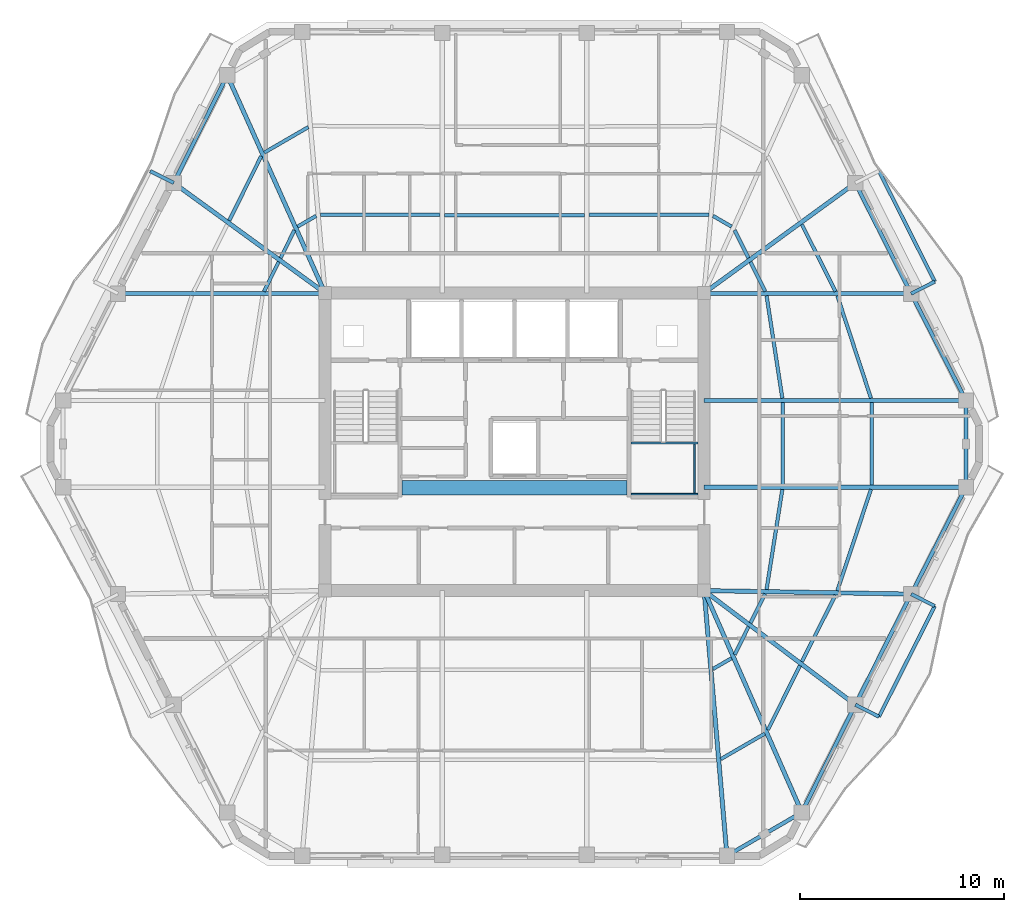
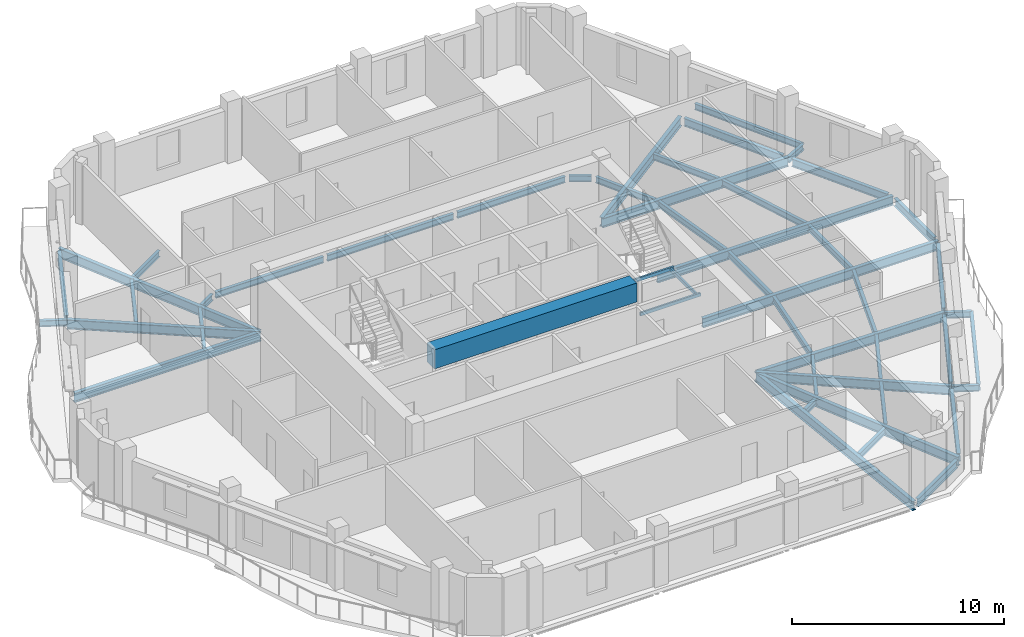
# One storey, part 2 of 12: 53 beams.
"""IFC4 building model written with IfcOpenShell, lengths in metres."""

from ifc_helpers import new_model, si_unit, direction, frame, origin, origin_2d, place, context, subcontext, project, spatial, rectangle, hollow_rectangle, i_section, extrude, material, material_profile, profile_set, type_object, element, save


model = new_model("IFC4")

# Units and contexts
model_context = context("Model", 3, precision=1e-05, world=origin(), true_north=direction((0.0, 1.0)))
body_context = subcontext(model_context, "Body", "Model", "MODEL_VIEW")
ifc_project = project(units=[si_unit("LENGTHUNIT", "METRE"), si_unit("AREAUNIT", "SQUARE_METRE"), si_unit("VOLUMEUNIT", "CUBIC_METRE"), si_unit("PLANEANGLEUNIT", "RADIAN"), si_unit("MASSUNIT", "GRAM", prefix="KILO")], contexts=[model_context])

# Site, building, storey
site_placement = place(None, origin())
site = spatial("IfcSite", under=ifc_project, at=site_placement, CompositionType="ELEMENT")
building_placement = place(site_placement, origin())
building = spatial("IfcBuilding", under=site, at=building_placement, Name="Cinnabar Lancet Tower", CompositionType="ELEMENT")
storey_placement = place(building_placement, frame((0.0, 0.0, 210.949951171875)))
storey = spatial("IfcBuildingStorey", under=building, at=storey_placement, Name="L56", CompositionType="ELEMENT", Elevation=210.949951171875)

# Beams
ifc_material_1 = material(Name="Concrete C70/85", Category="concrete")
ifc_material_profile_1 = material_profile(ifc_material_1, rectangle(XDim=0.699951171875, YDim=1.10009765625, at=origin_2d()), Name="RC-CB 700x1100")
ifc_profile_set_1 = profile_set([ifc_material_profile_1], Name="Concrete C70/85")
beam_type_1 = type_object("IfcBeamType", Name="STR-BM-CB-1100", PredefinedType="BEAM", material=ifc_profile_set_1)
beam_1_placement = place(storey_placement, frame((26.8798828125, 23.64990234375, 2.800048828125), z_axis=(1.0, 0.0, 0.0), x_axis=(0.0, 1.0, 0.0)))
element("IfcBeam", 1, at=beam_1_placement, inside=storey, type_object=beam_type_1, Name="L56 Core Coupling Beam", PredefinedType="BEAM", context=body_context, shape_type="SweptSolid", body=[
    extrude(rectangle(XDim=0.699951171875, YDim=1.10009765625, at=origin_2d()), origin(), (0.0, 0.0, 1.0), 11.0400390625),
])
ifc_material_2 = material(Name="Structural steel S355", Category="steel")
ifc_material_profile_2 = material_profile(ifc_material_2, i_section(OverallWidth=0.17138671875, OverallDepth=0.35498046875, WebThickness=0.00732421875, FlangeThickness=0.011474609375, FilletRadius=0.01025390625, at=origin_2d()), Name="UKB 356x171x51")
ifc_profile_set_2 = profile_set([ifc_material_profile_2], Name="Structural steel S355")
beam_type_2 = type_object("IfcBeamType", Name="STR-BM-JST-356", PredefinedType="JOIST", material=ifc_profile_set_2)
beam_2_placement = place(storey_placement, frame((42.51708984375, 10.3310546875, -0.3779296875), z_axis=(0.865267839663, 0.501309849937, 0.0), x_axis=(-0.501309849937, 0.865267839663, 0.0)))
element("IfcBeam", 2, at=beam_2_placement, inside=storey, type_object=beam_type_2, Name="L56 Secondary Floor Joist 15", PredefinedType="JOIST", context=body_context, shape_type="SweptSolid", body=[
    extrude(i_section(OverallWidth=0.17138671875, OverallDepth=0.35498046875, WebThickness=0.00732421875, FlangeThickness=0.011474609375, FilletRadius=0.01025390625, at=origin_2d()), origin(), (0.0, 0.0, 1.0), 2.497314453125),
])
beam_3_placement = place(storey_placement, frame((42.135986328125, 14.7548828125, -0.3779296875), z_axis=(0.8651881055, 0.501447446998, 0.0), x_axis=(-0.501447446998, 0.8651881055, 0.0)))
element("IfcBeam", 3, at=beam_3_placement, inside=storey, type_object=beam_type_2, Name="L56 Secondary Floor Joist 16", PredefinedType="JOIST", context=body_context, shape_type="SweptSolid", body=[
    extrude(i_section(OverallWidth=0.17138671875, OverallDepth=0.35498046875, WebThickness=0.00732421875, FlangeThickness=0.011474609375, FilletRadius=0.01025390625, at=origin_2d()), origin(), (0.0, 0.0, 1.0), 1.05322265625),
])
beam_4_placement = place(storey_placement, frame((44.8291015625, 11.758056640625, -0.3779296875), z_axis=(0.445027906173, 0.895516701534, 0.0), x_axis=(-0.895516701534, 0.445027906173, 0.0)))
element("IfcBeam", 4, at=beam_4_placement, inside=storey, type_object=beam_type_2, Name="L56 Secondary Floor Joist 17", PredefinedType="JOIST", context=body_context, shape_type="SweptSolid", body=[
    extrude(i_section(OverallWidth=0.17138671875, OverallDepth=0.35498046875, WebThickness=0.00732421875, FlangeThickness=0.011474609375, FilletRadius=0.01025390625, at=origin_2d()), origin(), (0.0, 0.0, 1.0), 3.531982421875),
])
beam_5_placement = place(storey_placement, frame((43.198974609375, 15.45703125, -0.3779296875), z_axis=(0.444589856968, 0.895734256954, 0.0), x_axis=(-0.895734256954, 0.444589856968, 0.0)))
element("IfcBeam", 5, at=beam_5_placement, inside=storey, type_object=beam_type_2, Name="L56 Secondary Floor Joist 18", PredefinedType="JOIST", context=body_context, shape_type="SweptSolid", body=[
    extrude(i_section(OverallWidth=0.17138671875, OverallDepth=0.35498046875, WebThickness=0.00732421875, FlangeThickness=0.011474609375, FilletRadius=0.01025390625, at=origin_2d()), origin(), (0.0, 0.0, 1.0), 1.527099609375),
])
beam_6_placement = place(storey_placement, frame((46.49609375, 15.112060546875, -0.3779296875), z_axis=(0.450564728728, 0.892743762357, 0.0), x_axis=(-0.892743762357, 0.450564728728, 0.0)))
element("IfcBeam", 6, at=beam_6_placement, inside=storey, type_object=beam_type_2, Name="L56 Secondary Floor Joist 19", PredefinedType="JOIST", context=body_context, shape_type="SweptSolid", body=[
    extrude(i_section(OverallWidth=0.17138671875, OverallDepth=0.35498046875, WebThickness=0.00732421875, FlangeThickness=0.011474609375, FilletRadius=0.01025390625, at=origin_2d()), origin(), (0.0, 0.0, 1.0), 3.66845703125),
])
beam_7_placement = place(storey_placement, frame((43.97412109375, 17.014892578125, -0.3779296875), z_axis=(0.450137936259, 0.892959035085, 0.0), x_axis=(-0.892959035085, 0.450137936259, 0.0)))
element("IfcBeam", 7, at=beam_7_placement, inside=storey, type_object=beam_type_2, Name="L56 Secondary Floor Joist 20", PredefinedType="JOIST", context=body_context, shape_type="SweptSolid", body=[
    extrude(i_section(OverallWidth=0.17138671875, OverallDepth=0.35498046875, WebThickness=0.00732421875, FlangeThickness=0.011474609375, FilletRadius=0.01025390625, at=origin_2d()), origin(), (0.0, 0.0, 1.0), 1.6015625),
])
beam_8_placement = place(storey_placement, frame((48.236083984375, 18.594970703125, -0.3779296875), z_axis=(0.315346227037, 0.948976689436, 0.0), x_axis=(-0.948976689436, 0.315346227037, 0.0)))
element("IfcBeam", 8, at=beam_8_placement, inside=storey, type_object=beam_type_2, Name="L56 Secondary Floor Joist 21", PredefinedType="JOIST", context=body_context, shape_type="SweptSolid", body=[
    extrude(i_section(OverallWidth=0.17138671875, OverallDepth=0.35498046875, WebThickness=0.00732421875, FlangeThickness=0.011474609375, FilletRadius=0.01025390625, at=origin_2d()), origin(), (0.0, 0.0, 1.0), 5.235107421875),
])
beam_9_placement = place(storey_placement, frame((44.763916015625, 18.653076171875, -0.3779296875), z_axis=(0.155750702097, 0.987796395416, 0.0), x_axis=(-0.987796395416, 0.155750702097, 0.0)))
element("IfcBeam", 9, at=beam_9_placement, inside=storey, type_object=beam_type_2, Name="L56 Secondary Floor Joist 22", PredefinedType="JOIST", context=body_context, shape_type="SweptSolid", body=[
    extrude(i_section(OverallWidth=0.17138671875, OverallDepth=0.35498046875, WebThickness=0.00732421875, FlangeThickness=0.011474609375, FilletRadius=0.01025390625, at=origin_2d()), origin(), (0.0, 0.0, 1.0), 4.970458984375),
])
for number, where, z_axis, x_axis, name in (
    (10, (49.922119140625, 23.77294921875, -0.3779296875), (0.0, 1.0, 0.0), (-1.0, 0.0, 0.0), "L56 Secondary Floor Joist 23"),
    (11, (45.553955078125, 23.77294921875, -0.3779296875), (0.0, 1.0, 0.0), (-1.0, 0.0, 0.0), "L56 Secondary Floor Joist 24"),
):
    element("IfcBeam", number, at=place(storey_placement, frame(where, z_axis=z_axis, x_axis=x_axis)), inside=storey, type_object=beam_type_2, Name=name, PredefinedType="JOIST", context=body_context, shape_type="SweptSolid", body=[
        extrude(i_section(OverallWidth=0.17138671875, OverallDepth=0.35498046875, WebThickness=0.00732421875, FlangeThickness=0.011474609375, FilletRadius=0.01025390625, at=origin_2d()), origin(), (0.0, 0.0, 1.0), 4.053955078125),
    ])
beam_10_placement = place(storey_placement, frame((49.887939453125, 28.037109375, -0.3779296875), z_axis=(-0.312240109925, 0.95000321776, 0.0), x_axis=(-0.95000321776, -0.312240109925, 0.0)))
element("IfcBeam", 12, at=beam_10_placement, inside=storey, type_object=beam_type_2, Name="L56 Secondary Floor Joist 25", PredefinedType="JOIST", context=body_context, shape_type="SweptSolid", body=[
    extrude(i_section(OverallWidth=0.17138671875, OverallDepth=0.35498046875, WebThickness=0.00732421875, FlangeThickness=0.011474609375, FilletRadius=0.01025390625, at=origin_2d()), origin(), (0.0, 0.0, 1.0), 5.29345703125),
])
beam_11_placement = place(storey_placement, frame((45.5380859375, 28.037109375, -0.3779296875), z_axis=(-0.152154536592, 0.98835671546, 0.0), x_axis=(-0.98835671546, -0.152154536592, 0.0)))
element("IfcBeam", 13, at=beam_11_placement, inside=storey, type_object=beam_type_2, Name="L56 Secondary Floor Joist 26", PredefinedType="JOIST", context=body_context, shape_type="SweptSolid", body=[
    extrude(i_section(OverallWidth=0.17138671875, OverallDepth=0.35498046875, WebThickness=0.00732421875, FlangeThickness=0.011474609375, FilletRadius=0.01025390625, at=origin_2d()), origin(), (0.0, 0.0, 1.0), 5.088134765625),
])
beam_12_placement = place(storey_placement, frame((48.14794921875, 33.27587890625, -0.3779296875), z_axis=(-0.449230875134, 0.893415704376, 0.0), x_axis=(-0.893415704376, -0.449230875134, 0.0)))
element("IfcBeam", 14, at=beam_12_placement, inside=storey, type_object=beam_type_2, Name="L56 Secondary Floor Joist 27", PredefinedType="JOIST", context=body_context, shape_type="SweptSolid", body=[
    extrude(i_section(OverallWidth=0.17138671875, OverallDepth=0.35498046875, WebThickness=0.00732421875, FlangeThickness=0.011474609375, FilletRadius=0.01025390625, at=origin_2d()), origin(), (0.0, 0.0, 1.0), 3.677001953125),
])
beam_13_placement = place(storey_placement, frame((44.695068359375, 33.27587890625, -0.3779296875), z_axis=(-0.446006949597, 0.89502949723, 0.0), x_axis=(-0.89502949723, -0.446006949597, 0.0)))
element("IfcBeam", 15, at=beam_13_placement, inside=storey, type_object=beam_type_2, Name="L56 Secondary Floor Joist 28", PredefinedType="JOIST", context=body_context, shape_type="SweptSolid", body=[
    extrude(i_section(OverallWidth=0.17138671875, OverallDepth=0.35498046875, WebThickness=0.00732421875, FlangeThickness=0.011474609375, FilletRadius=0.01025390625, at=origin_2d()), origin(), (0.0, 0.0, 1.0), 1.619140625),
])
beam_14_placement = place(storey_placement, frame((43.8779296875, 34.9150390625, -0.3779296875), z_axis=(-0.444589856968, 0.895734256954, 0.0), x_axis=(-0.895734256954, -0.444589856968, 0.0)))
element("IfcBeam", 16, at=beam_14_placement, inside=storey, type_object=beam_type_2, Name="L56 Secondary Floor Joist 30", PredefinedType="JOIST", context=body_context, shape_type="SweptSolid", body=[
    extrude(i_section(OverallWidth=0.17138671875, OverallDepth=0.35498046875, WebThickness=0.00732421875, FlangeThickness=0.011474609375, FilletRadius=0.01025390625, at=origin_2d()), origin(), (0.0, 0.0, 1.0), 1.527099609375),
])
beam_15_placement = place(storey_placement, frame((43.047119140625, 36.45703125, -0.3779296875), z_axis=(-0.8651881055, 0.501447446998, 0.0), x_axis=(-0.501447446998, -0.8651881055, 0.0)))
element("IfcBeam", 17, at=beam_15_placement, inside=storey, type_object=beam_type_2, Name="L56 Secondary Floor Joist 32", PredefinedType="JOIST", context=body_context, shape_type="SweptSolid", body=[
    extrude(i_section(OverallWidth=0.17138671875, OverallDepth=0.35498046875, WebThickness=0.00732421875, FlangeThickness=0.011474609375, FilletRadius=0.01025390625, at=origin_2d()), origin(), (0.0, 0.0, 1.0), 1.05322265625),
])
beam_16_placement = place(storey_placement, frame((41.930908203125, 37.04296875, -0.3779296875), z_axis=(-0.999996795667, -0.002531532393, 0.0), x_axis=(0.002531532393, -0.999996795667, 0.0)))
element("IfcBeam", 18, at=beam_16_placement, inside=storey, type_object=beam_type_2, Name="L56 Secondary Floor Joist 34", PredefinedType="JOIST", context=body_context, shape_type="SweptSolid", body=[
    extrude(i_section(OverallWidth=0.17138671875, OverallDepth=0.35498046875, WebThickness=0.00732421875, FlangeThickness=0.011474609375, FilletRadius=0.01025390625, at=origin_2d()), origin(), (0.0, 0.0, 1.0), 5.8828125),
])
beam_17_placement = place(storey_placement, frame((35.837890625, 37.027099609375, -0.3779296875), z_axis=(-1.0, 0.0, 0.0), x_axis=(0.0, -1.0, 0.0)))
element("IfcBeam", 19, at=beam_17_placement, inside=storey, type_object=beam_type_2, Name="L56 Secondary Floor Joist 36", PredefinedType="JOIST", context=body_context, shape_type="SweptSolid", body=[
    extrude(i_section(OverallWidth=0.17138671875, OverallDepth=0.35498046875, WebThickness=0.00732421875, FlangeThickness=0.011474609375, FilletRadius=0.01025390625, at=origin_2d()), origin(), (0.0, 0.0, 1.0), 6.8759765625),
])
beam_18_placement = place(storey_placement, frame((28.751953125, 37.028076171875, -0.3779296875), z_axis=(-0.999996795933, 0.002531427338, 0.0), x_axis=(-0.002531427338, -0.999996795933, 0.0)))
element("IfcBeam", 20, at=beam_18_placement, inside=storey, type_object=beam_type_2, Name="L56 Secondary Floor Joist 38", PredefinedType="JOIST", context=body_context, shape_type="SweptSolid", body=[
    extrude(i_section(OverallWidth=0.17138671875, OverallDepth=0.35498046875, WebThickness=0.00732421875, FlangeThickness=0.011474609375, FilletRadius=0.01025390625, at=origin_2d()), origin(), (0.0, 0.0, 1.0), 5.883056640625),
])
beam_19_placement = place(storey_placement, frame((22.282958984375, 41.341064453125, -0.3779296875), z_axis=(-0.865267839663, -0.501309849937, 0.0), x_axis=(0.501309849937, -0.865267839663, 0.0)))
element("IfcBeam", 21, at=beam_19_placement, inside=storey, type_object=beam_type_2, Name="L56 Secondary Floor Joist 39", PredefinedType="JOIST", context=body_context, shape_type="SweptSolid", body=[
    extrude(i_section(OverallWidth=0.17138671875, OverallDepth=0.35498046875, WebThickness=0.00732421875, FlangeThickness=0.011474609375, FilletRadius=0.01025390625, at=origin_2d()), origin(), (0.0, 0.0, 1.0), 2.497314453125),
])
beam_20_placement = place(storey_placement, frame((22.6640625, 36.985107421875, -0.3779296875), z_axis=(-0.8651881055, -0.501447446998, 0.0), x_axis=(0.501447446998, -0.8651881055, 0.0)))
element("IfcBeam", 22, at=beam_20_placement, inside=storey, type_object=beam_type_2, Name="L56 Secondary Floor Joist 40", PredefinedType="JOIST", context=body_context, shape_type="SweptSolid", body=[
    extrude(i_section(OverallWidth=0.17138671875, OverallDepth=0.35498046875, WebThickness=0.00732421875, FlangeThickness=0.011474609375, FilletRadius=0.01025390625, at=origin_2d()), origin(), (0.0, 0.0, 1.0), 1.05322265625),
])
beam_21_placement = place(storey_placement, frame((19.970947265625, 39.9150390625, -0.3779296875), z_axis=(-0.444835507887, -0.895612288283, 0.0), x_axis=(0.895612288283, -0.444835507887, 0.0)))
element("IfcBeam", 23, at=beam_21_placement, inside=storey, type_object=beam_type_2, Name="L56 Secondary Floor Joist 41", PredefinedType="JOIST", context=body_context, shape_type="SweptSolid", body=[
    extrude(i_section(OverallWidth=0.17138671875, OverallDepth=0.35498046875, WebThickness=0.00732421875, FlangeThickness=0.011474609375, FilletRadius=0.01025390625, at=origin_2d()), origin(), (0.0, 0.0, 1.0), 3.533935546875),
])
beam_22_placement = place(storey_placement, frame((21.60107421875, 36.282958984375, -0.3779296875), z_axis=(-0.444589856968, -0.895734256954, 0.0), x_axis=(0.895734256954, -0.444589856968, 0.0)))
element("IfcBeam", 24, at=beam_22_placement, inside=storey, type_object=beam_type_2, Name="L56 Secondary Floor Joist 42", PredefinedType="JOIST", context=body_context, shape_type="SweptSolid", body=[
    extrude(i_section(OverallWidth=0.17138671875, OverallDepth=0.35498046875, WebThickness=0.00732421875, FlangeThickness=0.011474609375, FilletRadius=0.01025390625, at=origin_2d()), origin(), (0.0, 0.0, 1.0), 1.527099609375),
])
beam_23_placement = place(storey_placement, frame((20.826904296875, 34.72509765625, -0.3779296875), z_axis=(-0.44588615098, -0.895089682861, 0.0), x_axis=(0.895089682861, -0.44588615098, 0.0)))
element("IfcBeam", 25, at=beam_23_placement, inside=storey, type_object=beam_type_2, Name="L56 Secondary Floor Joist 44", PredefinedType="JOIST", context=body_context, shape_type="SweptSolid", body=[
    extrude(i_section(OverallWidth=0.17138671875, OverallDepth=0.35498046875, WebThickness=0.00732421875, FlangeThickness=0.011474609375, FilletRadius=0.01025390625, at=origin_2d()), origin(), (0.0, 0.0, 1.0), 1.619140625),
])
ifc_material_3 = material(Name="Structural steel S355", Category="steel")
ifc_material_profile_3 = material_profile(ifc_material_3, hollow_rectangle(XDim=0.10009765625, YDim=0.199951171875, WallThickness=0.008056640625, InnerFilletRadius=0.00390625, OuterFilletRadius=0.011962890625, at=origin_2d()), Name="RHS 200x100x8")
ifc_profile_set_3 = profile_set([ifc_material_profile_3], Name="Structural steel S355")
beam_type_3 = type_object("IfcBeamType", Name="STR-BM-LND-203", PredefinedType="BEAM", material=ifc_profile_set_3)
for number, where, z_axis, x_axis, name in (
    (26, (38.1201171875, 23.330078125, 1.47509765625), (1.0, 0.0, 0.0), (0.0, 1.0, 0.0), "L56 ST-2-L56 Landing Support Beam S"),
    (27, (38.1201171875, 25.844970703125, 1.47509765625), (1.0, 0.0, 0.0), (0.0, 1.0, 0.0), "L56 ST-2-L56 Landing Support Beam N"),
):
    element("IfcBeam", number, at=place(storey_placement, frame(where, z_axis=z_axis, x_axis=x_axis)), inside=storey, type_object=beam_type_3, Name=name, PredefinedType="BEAM", context=body_context, shape_type="SweptSolid", body=[
        extrude(hollow_rectangle(XDim=0.10009765625, YDim=0.199951171875, WallThickness=0.008056640625, InnerFilletRadius=0.00390625, OuterFilletRadius=0.011962890625, at=origin_2d()), origin(), (0.0, 0.0, 1.0), 3.27978515625),
    ])
beam_24_placement = place(storey_placement, frame((41.219970703125, 23.3798828125, 1.47509765625), z_axis=(0.0, 1.0, 0.0), x_axis=(-1.0, 0.0, 0.0)))
element("IfcBeam", 28, at=beam_24_placement, inside=storey, type_object=beam_type_3, Name="L56 ST-2-L56 Landing Side Trimmer Beam", PredefinedType="BEAM", context=body_context, shape_type="SweptSolid", body=[
    extrude(hollow_rectangle(XDim=0.10009765625, YDim=0.199951171875, WallThickness=0.008056640625, InnerFilletRadius=0.00390625, OuterFilletRadius=0.011962890625, at=origin_2d()), origin(), (0.0, 0.0, 1.0), 2.4150390625),
])
ifc_material_4 = material(Name="Structural steel S355", Category="steel")
ifc_material_profile_4 = material_profile(ifc_material_4, i_section(OverallWidth=0.1904296875, OverallDepth=0.45703125, WebThickness=0.009033203125, FlangeThickness=0.014404296875, FilletRadius=0.01025390625, at=origin_2d()), Name="UKB 457x191x74")
ifc_profile_set_4 = profile_set([ifc_material_profile_4], Name="Structural steel S355")
beam_type_4 = type_object("IfcBeamType", Name="STR-BM-SPN-457", PredefinedType="SPANDREL", material=ifc_profile_set_4)
beam_25_placement = place(storey_placement, frame((43.037109375, 5.714111328125, -0.427978515625), z_axis=(0.865195717586, 0.501434313016, 0.0), x_axis=(-0.501434313016, 0.865195717586, 0.0)))
element("IfcBeam", 29, at=beam_25_placement, inside=storey, type_object=beam_type_4, Name="L56 Perimeter Spandrel 4", PredefinedType="SPANDREL", context=body_context, shape_type="SweptSolid", body=[
    extrude(i_section(OverallWidth=0.1904296875, OverallDepth=0.45703125, WebThickness=0.009033203125, FlangeThickness=0.014404296875, FilletRadius=0.01025390625, at=origin_2d()), origin(), (0.0, 0.0, 1.0), 3.7470703125),
])
beam_26_placement = place(storey_placement, frame((46.60595703125, 7.94189453125, -0.427978515625), z_axis=(0.444914968367, 0.895572817208, 0.0), x_axis=(-0.895572817208, 0.444914968367, 0.0)))
element("IfcBeam", 30, at=beam_26_placement, inside=storey, type_object=beam_type_4, Name="L56 Perimeter Spandrel 5", PredefinedType="SPANDREL", context=body_context, shape_type="SweptSolid", body=[
    extrude(i_section(OverallWidth=0.1904296875, OverallDepth=0.45703125, WebThickness=0.009033203125, FlangeThickness=0.014404296875, FilletRadius=0.01025390625, at=origin_2d()), origin(), (0.0, 0.0, 1.0), 5.39892578125),
])
beam_27_placement = place(storey_placement, frame((49.23193359375, 13.22412109375, -0.427978515625), z_axis=(0.450395996562, 0.892828900899, 0.0), x_axis=(-0.892828900899, 0.450395996562, 0.0)))
element("IfcBeam", 31, at=beam_27_placement, inside=storey, type_object=beam_type_4, Name="L56 Perimeter Spandrel 6", PredefinedType="SPANDREL", context=body_context, shape_type="SweptSolid", body=[
    extrude(i_section(OverallWidth=0.1904296875, OverallDepth=0.45703125, WebThickness=0.009033203125, FlangeThickness=0.014404296875, FilletRadius=0.01025390625, at=origin_2d()), origin(), (0.0, 0.0, 1.0), 5.579833984375),
])
beam_28_placement = place(storey_placement, frame((51.971923828125, 18.65087890625, -0.427978515625), z_axis=(0.456628362232, 0.889657540184, 0.0), x_axis=(-0.889657540184, 0.456628362232, 0.0)))
element("IfcBeam", 32, at=beam_28_placement, inside=storey, type_object=beam_type_4, Name="L56 Perimeter Spandrel 7", PredefinedType="SPANDREL", context=body_context, shape_type="SweptSolid", body=[
    extrude(i_section(OverallWidth=0.1904296875, OverallDepth=0.45703125, WebThickness=0.009033203125, FlangeThickness=0.014404296875, FilletRadius=0.01025390625, at=origin_2d()), origin(), (0.0, 0.0, 1.0), 5.389892578125),
])
beam_29_placement = place(storey_placement, frame((54.547119140625, 23.91796875, -0.427978515625), z_axis=(0.0, 1.0, 0.0), x_axis=(-1.0, 0.0, 0.0)))
element("IfcBeam", 33, at=beam_29_placement, inside=storey, type_object=beam_type_4, Name="L56 Perimeter Spandrel 8", PredefinedType="SPANDREL", context=body_context, shape_type="SweptSolid", body=[
    extrude(i_section(OverallWidth=0.1904296875, OverallDepth=0.45703125, WebThickness=0.009033203125, FlangeThickness=0.014404296875, FilletRadius=0.01025390625, at=origin_2d()), origin(), (0.0, 0.0, 1.0), 3.763916015625),
])
beam_30_placement = place(storey_placement, frame((54.43310546875, 28.154052734375, -0.427978515625), z_axis=(-0.456646764028, 0.889648094981, 0.0), x_axis=(-0.889648094981, -0.456646764028, 0.0)))
element("IfcBeam", 34, at=beam_30_placement, inside=storey, type_object=beam_type_4, Name="L56 Perimeter Spandrel 9", PredefinedType="SPANDREL", context=body_context, shape_type="SweptSolid", body=[
    extrude(i_section(OverallWidth=0.1904296875, OverallDepth=0.45703125, WebThickness=0.009033203125, FlangeThickness=0.014404296875, FilletRadius=0.01025390625, at=origin_2d()), origin(), (0.0, 0.0, 1.0), 5.3896484375),
])
beam_31_placement = place(storey_placement, frame((51.7451171875, 33.39404296875, -0.427978515625), z_axis=(-0.450395996562, 0.892828900899, 0.0), x_axis=(-0.892828900899, -0.450395996562, 0.0)))
element("IfcBeam", 35, at=beam_31_placement, inside=storey, type_object=beam_type_4, Name="L56 Perimeter Spandrel 10", PredefinedType="SPANDREL", context=body_context, shape_type="SweptSolid", body=[
    extrude(i_section(OverallWidth=0.1904296875, OverallDepth=0.45703125, WebThickness=0.009033203125, FlangeThickness=0.014404296875, FilletRadius=0.01025390625, at=origin_2d()), origin(), (0.0, 0.0, 1.0), 5.579833984375),
])
beam_32_placement = place(storey_placement, frame((18.194091796875, 43.657958984375, -0.427978515625), z_axis=(-0.444932986899, -0.895563865489, 0.0), x_axis=(0.895563865489, -0.444932986899, 0.0)))
element("IfcBeam", 36, at=beam_32_placement, inside=storey, type_object=beam_type_4, Name="L56 Perimeter Spandrel 17", PredefinedType="SPANDREL", context=body_context, shape_type="SweptSolid", body=[
    extrude(i_section(OverallWidth=0.1904296875, OverallDepth=0.45703125, WebThickness=0.009033203125, FlangeThickness=0.014404296875, FilletRadius=0.01025390625, at=origin_2d()), origin(), (0.0, 0.0, 1.0), 5.398681640625),
])
ifc_material_5 = material(Name="Structural steel S355", Category="steel")
ifc_material_profile_5 = material_profile(ifc_material_5, i_section(OverallWidth=0.209228515625, OverallDepth=0.533203125, WebThickness=0.010009765625, FlangeThickness=0.015625, FilletRadius=0.0126953125, at=origin_2d()), Name="UKB 533x210x92")
ifc_profile_set_5 = profile_set([ifc_material_profile_5], Name="Structural steel S355")
beam_type_5 = type_object("IfcBeamType", Name="STR-BM-UKB533-92", PredefinedType="BEAM", material=ifc_profile_set_5)
beam_33_placement = place(storey_placement, frame((49.118896484375, 13.0009765625, -0.467041015625), z_axis=(-0.798193439732, 0.602401222417, 0.0), x_axis=(-0.602401222417, -0.798193439732, 0.0)))
element("IfcBeam", 37, at=beam_33_placement, inside=storey, type_object=beam_type_5, Name="L56 Corner Collector Girder 2", PredefinedType="BEAM", context=body_context, shape_type="SweptSolid", body=[
    extrude(i_section(OverallWidth=0.209228515625, OverallDepth=0.533203125, WebThickness=0.010009765625, FlangeThickness=0.015625, FilletRadius=0.0126953125, at=origin_2d()), origin(), (0.0, 0.0, 1.0), 9.294677734375),
])
beam_34_placement = place(storey_placement, frame((49.118896484375, 38.59912109375, -0.467041015625), z_axis=(-0.808550797984, -0.588426382039, 0.0), x_axis=(0.588426382039, -0.808550797984, 0.0)))
element("IfcBeam", 38, at=beam_34_placement, inside=storey, type_object=beam_type_5, Name="L56 Corner Collector Girder 3", PredefinedType="BEAM", context=body_context, shape_type="SweptSolid", body=[
    extrude(i_section(OverallWidth=0.209228515625, OverallDepth=0.533203125, WebThickness=0.010009765625, FlangeThickness=0.015625, FilletRadius=0.0126953125, at=origin_2d()), origin(), (0.0, 0.0, 1.0), 9.175537109375),
])
beam_35_placement = place(storey_placement, frame((15.680908203125, 38.59912109375, -0.467041015625), z_axis=(0.80856001044, -0.588413723087, 0.0), x_axis=(0.588413723087, 0.80856001044, 0.0)))
element("IfcBeam", 39, at=beam_35_placement, inside=storey, type_object=beam_type_5, Name="L56 Corner Collector Girder 4", PredefinedType="BEAM", context=body_context, shape_type="SweptSolid", body=[
    extrude(i_section(OverallWidth=0.209228515625, OverallDepth=0.533203125, WebThickness=0.010009765625, FlangeThickness=0.015625, FilletRadius=0.0126953125, at=origin_2d()), origin(), (0.0, 0.0, 1.0), 9.17578125),
])
beam_36_placement = place(storey_placement, frame((42.821044921875, 5.589111328125, -0.467041015625), z_axis=(-0.085847068729, 0.996308326167, 0.0), x_axis=(-0.996308326167, -0.085847068729, 0.0)))
element("IfcBeam", 40, at=beam_36_placement, inside=storey, type_object=beam_type_5, Name="L56 Primary Floor Girder 4", PredefinedType="BEAM", context=body_context, shape_type="SweptSolid", body=[
    extrude(i_section(OverallWidth=0.209228515625, OverallDepth=0.533203125, WebThickness=0.010009765625, FlangeThickness=0.015625, FilletRadius=0.0126953125, at=origin_2d()), origin(), (0.0, 0.0, 1.0), 13.05908203125),
])
beam_37_placement = place(storey_placement, frame((46.4951171875, 7.718017578125, -0.467041015625), z_axis=(-0.403235299754, 0.915096329919, 0.0), x_axis=(-0.915096329919, -0.403235299754, 0.0)))
element("IfcBeam", 41, at=beam_37_placement, inside=storey, type_object=beam_type_5, Name="L56 Primary Floor Girder 5", PredefinedType="BEAM", context=body_context, shape_type="SweptSolid", body=[
    extrude(i_section(OverallWidth=0.209228515625, OverallDepth=0.533203125, WebThickness=0.010009765625, FlangeThickness=0.015625, FilletRadius=0.0126953125, at=origin_2d()), origin(), (0.0, 0.0, 1.0), 11.891845703125),
])
beam_38_placement = place(storey_placement, frame((51.85791015625, 18.428955078125, -0.467041015625), z_axis=(-0.999858100525, 0.016845735777, 0.0), x_axis=(-0.016845735777, -0.999858100525, 0.0)))
element("IfcBeam", 42, at=beam_38_placement, inside=storey, type_object=beam_type_5, Name="L56 Primary Floor Girder 7", PredefinedType="BEAM", context=body_context, shape_type="SweptSolid", body=[
    extrude(i_section(OverallWidth=0.209228515625, OverallDepth=0.533203125, WebThickness=0.010009765625, FlangeThickness=0.015625, FilletRadius=0.0126953125, at=origin_2d()), origin(), (0.0, 0.0, 1.0), 10.159423828125),
])
for number, where, z_axis, x_axis, name in (
    (43, (54.547119140625, 23.66796875, -0.467041015625), (-1.0, 0.0, 0.0), (0.0, -1.0, 0.0), "L56 Primary Floor Girder 8"),
    (44, (54.547119140625, 27.931884765625, -0.467041015625), (-1.0, 0.0, 0.0), (0.0, -1.0, 0.0), "L56 Primary Floor Girder 9"),
):
    element("IfcBeam", number, at=place(storey_placement, frame(where, z_axis=z_axis, x_axis=x_axis)), inside=storey, type_object=beam_type_5, Name=name, PredefinedType="BEAM", context=body_context, shape_type="SweptSolid", body=[
        extrude(i_section(OverallWidth=0.209228515625, OverallDepth=0.533203125, WebThickness=0.010009765625, FlangeThickness=0.015625, FilletRadius=0.0126953125, at=origin_2d()), origin(), (0.0, 0.0, 1.0), 12.84716796875),
    ])
beam_39_placement = place(storey_placement, frame((51.85791015625, 33.1708984375, -0.467041015625), z_axis=(-1.0, 0.0, 0.0), x_axis=(0.0, -1.0, 0.0)))
element("IfcBeam", 45, at=beam_39_placement, inside=storey, type_object=beam_type_5, Name="L56 Primary Floor Girder 10", PredefinedType="BEAM", context=body_context, shape_type="SweptSolid", body=[
    extrude(i_section(OverallWidth=0.209228515625, OverallDepth=0.533203125, WebThickness=0.010009765625, FlangeThickness=0.015625, FilletRadius=0.0126953125, at=origin_2d()), origin(), (0.0, 0.0, 1.0), 10.157958984375),
])
beam_40_placement = place(storey_placement, frame((18.304931640625, 43.882080078125, -0.467041015625), z_axis=(0.409527011626, -0.912297992297, 0.0), x_axis=(0.912297992297, 0.409527011626, 0.0)))
element("IfcBeam", 46, at=beam_40_placement, inside=storey, type_object=beam_type_5, Name="L56 Primary Floor Girder 17", PredefinedType="BEAM", context=body_context, shape_type="SweptSolid", body=[
    extrude(i_section(OverallWidth=0.209228515625, OverallDepth=0.533203125, WebThickness=0.010009765625, FlangeThickness=0.015625, FilletRadius=0.0126953125, at=origin_2d()), origin(), (0.0, 0.0, 1.0), 11.708984375),
])
beam_41_placement = place(storey_placement, frame((12.94189453125, 33.1708984375, -0.467041015625), z_axis=(1.0, 0.0, 0.0), x_axis=(0.0, 1.0, 0.0)))
element("IfcBeam", 47, at=beam_41_placement, inside=storey, type_object=beam_type_5, Name="L56 Primary Floor Girder 19", PredefinedType="BEAM", context=body_context, shape_type="SweptSolid", body=[
    extrude(i_section(OverallWidth=0.209228515625, OverallDepth=0.533203125, WebThickness=0.010009765625, FlangeThickness=0.015625, FilletRadius=0.0126953125, at=origin_2d()), origin(), (0.0, 0.0, 1.0), 10.158203125),
])
ifc_material_6 = material(Name="Structural steel S355", Category="steel")
ifc_material_profile_6 = material_profile(ifc_material_6, i_section(OverallWidth=0.17138671875, OverallDepth=0.35498046875, WebThickness=0.00732421875, FlangeThickness=0.011474609375, FilletRadius=0.01025390625, at=origin_2d()), Name="UKB 356x171x51")
ifc_profile_set_6 = profile_set([ifc_material_profile_6], Name="Structural steel S355")
beam_type_6 = type_object("IfcBeamType", Name="STR-BM-WAV-OUT", PredefinedType="BEAM", material=ifc_profile_set_6)
for number, where, z_axis, x_axis, name in (
    (48, (49.118896484375, 13.0009765625, -0.39794921875), (0.892314203325, -0.451414845285, 0.0), (0.451414845285, 0.892314203325, 0.0), "L56 Face 2 Balcony Outlooker A"),
    (49, (51.85791015625, 18.428955078125, -0.39794921875), (0.892314203325, -0.451414845285, 0.0), (0.451414845285, 0.892314203325, 0.0), "L56 Face 2 Balcony Outlooker B"),
):
    element("IfcBeam", number, at=place(storey_placement, frame(where, z_axis=z_axis, x_axis=x_axis)), inside=storey, type_object=beam_type_6, Name=name, PredefinedType="BEAM", context=body_context, shape_type="SweptSolid", body=[
        extrude(i_section(OverallWidth=0.17138671875, OverallDepth=0.35498046875, WebThickness=0.00732421875, FlangeThickness=0.011474609375, FilletRadius=0.01025390625, at=origin_2d()), origin(), (0.0, 0.0, 1.0), 1.300048828125),
    ])
beam_42_placement = place(storey_placement, frame((51.85791015625, 33.1708984375, -0.39794921875), z_axis=(0.892238560088, 0.451564338597, 0.0), x_axis=(-0.451564338597, 0.892238560088, 0.0)))
element("IfcBeam", 50, at=beam_42_placement, inside=storey, type_object=beam_type_6, Name="L56 Face 3 Balcony Outlooker A", PredefinedType="BEAM", context=body_context, shape_type="SweptSolid", body=[
    extrude(i_section(OverallWidth=0.17138671875, OverallDepth=0.35498046875, WebThickness=0.00732421875, FlangeThickness=0.011474609375, FilletRadius=0.01025390625, at=origin_2d()), origin(), (0.0, 0.0, 1.0), 1.30029296875),
])
beam_43_placement = place(storey_placement, frame((15.680908203125, 38.59912109375, -0.39794921875), z_axis=(-0.89227592947, 0.451490493464, 0.0), x_axis=(-0.451490493464, -0.89227592947, 0.0)))
element("IfcBeam", 51, at=beam_43_placement, inside=storey, type_object=beam_type_6, Name="L56 Face 5 Balcony Outlooker A", PredefinedType="BEAM", context=body_context, shape_type="SweptSolid", body=[
    extrude(i_section(OverallWidth=0.17138671875, OverallDepth=0.35498046875, WebThickness=0.00732421875, FlangeThickness=0.011474609375, FilletRadius=0.01025390625, at=origin_2d()), origin(), (0.0, 0.0, 1.0), 1.300048828125),
])
ifc_material_7 = material(Name="Structural steel S355", Category="steel")
ifc_material_profile_7 = material_profile(ifc_material_7, i_section(OverallWidth=0.17138671875, OverallDepth=0.35498046875, WebThickness=0.00732421875, FlangeThickness=0.011474609375, FilletRadius=0.01025390625, at=origin_2d()), Name="UKB 356x171x51")
ifc_profile_set_7 = profile_set([ifc_material_profile_7], Name="Structural steel S355")
beam_type_7 = type_object("IfcBeamType", Name="STR-BM-WAV-TRIM", PredefinedType="SPANDREL", material=ifc_profile_set_7)
for number, where, z_axis, x_axis, name in (
    (52, (50.279052734375, 12.4140625, -0.39794921875), (0.450503306898, 0.892774759093, 0.0), (-0.892774759093, 0.450503306898, 0.0), "L56 Face 2 Balcony Edge Trimmer"),
    (53, (53.01806640625, 33.758056640625, -0.39794921875), (-0.450503306898, 0.892774759093, 0.0), (-0.892774759093, -0.450503306898, 0.0), "L56 Face 3 Balcony Edge Trimmer"),
):
    element("IfcBeam", number, at=place(storey_placement, frame(where, z_axis=z_axis, x_axis=x_axis)), inside=storey, type_object=beam_type_7, Name=name, PredefinedType="SPANDREL", context=body_context, shape_type="SweptSolid", body=[
        extrude(i_section(OverallWidth=0.17138671875, OverallDepth=0.35498046875, WebThickness=0.00732421875, FlangeThickness=0.011474609375, FilletRadius=0.01025390625, at=origin_2d()), origin(), (0.0, 0.0, 1.0), 6.079833984375),
    ])

save(model, "model.ifc")
